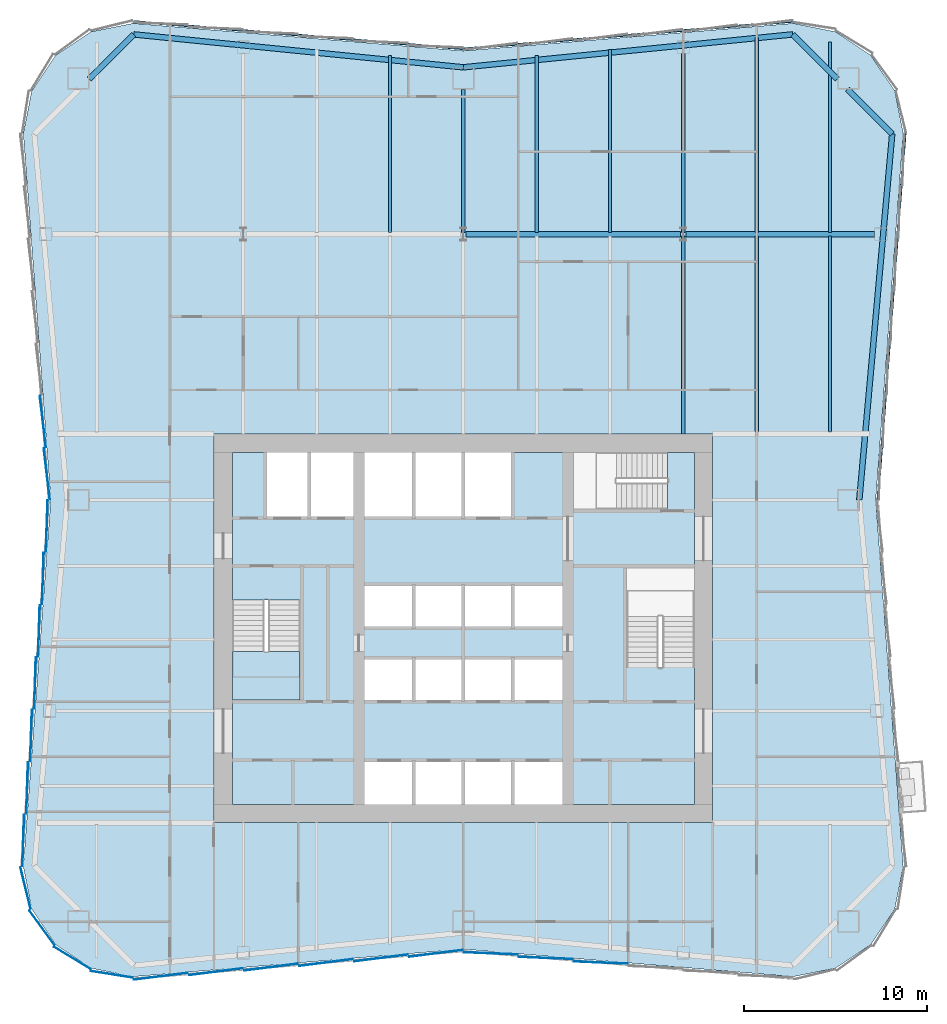
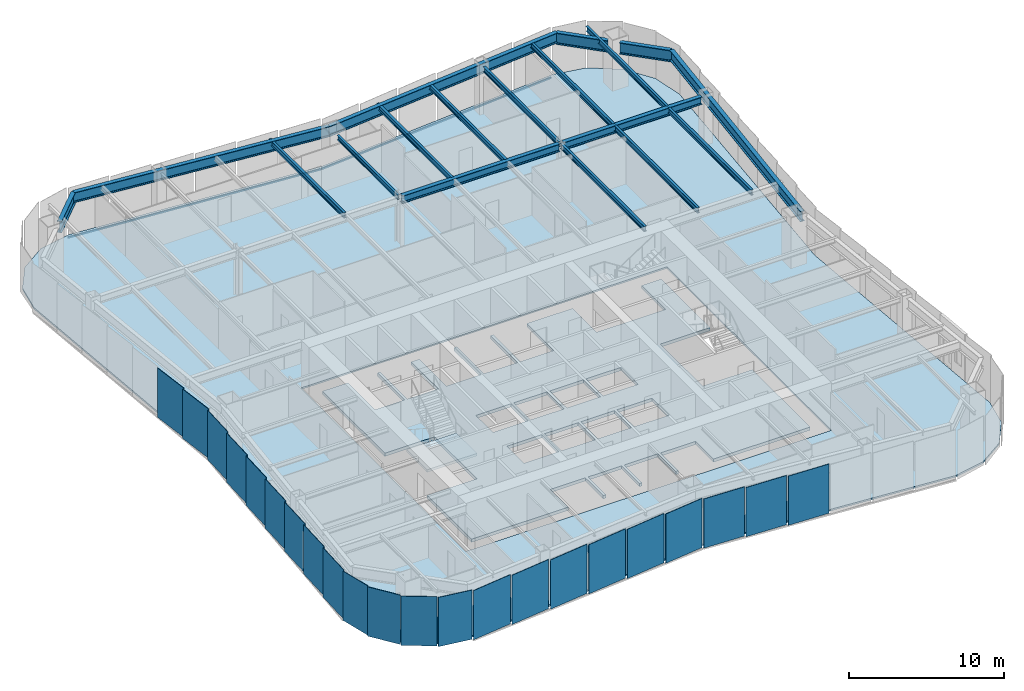
# One storey, part 2 of 9: 22 plates, 18 beams, 3 members, 3 slabs, 6 elements without a shape of their own.
"""IFC4 building model written with IfcOpenShell, lengths in metres."""

from ifc_helpers import new_model, si_unit, direction, frame, origin, origin_2d, place, context, subcontext, project, spatial, polyline, rectangle, i_section, outline, extrude, material, layer, layer_set, material_profile, profile_set, type_object, element, aggregate, save


model = new_model("IFC4")

# Units and contexts
model_context = context("Model", 3, precision=1e-05, world=origin(), true_north=direction((0.0, 1.0)))
body_context = subcontext(model_context, "Body", "Model", "MODEL_VIEW")
ifc_project = project(units=[si_unit("LENGTHUNIT", "METRE"), si_unit("AREAUNIT", "SQUARE_METRE"), si_unit("VOLUMEUNIT", "CUBIC_METRE"), si_unit("PLANEANGLEUNIT", "RADIAN"), si_unit("MASSUNIT", "GRAM", prefix="KILO")], contexts=[model_context])

# Site, building, storey
site_placement = place(None, origin())
site = spatial("IfcSite", under=ifc_project, at=site_placement, CompositionType="ELEMENT")
building_placement = place(site_placement, origin())
building = spatial("IfcBuilding", under=site, at=building_placement, Name="Verdant Reach Tower", CompositionType="ELEMENT")
storey_placement = place(building_placement, frame((0.0, 0.0, 166.0)))
storey = spatial("IfcBuildingStorey", under=building, at=storey_placement, Name="L38", CompositionType="ELEMENT", Elevation=166.0)

# Curtain wall, member
ifc_material_1 = material(Name="Anodised aluminium", Category="aluminium")
curtain_wall_type = type_object("IfcCurtainWallType", Name="EN-CW SYSTEM Z2", PredefinedType="NOTDEFINED", material=ifc_material_1)
curtain_wall_1_placement = place(storey_placement, origin())
curtain_wall_1 = element("IfcCurtainWall", 1, at=curtain_wall_1_placement, inside=storey, type_object=curtain_wall_type, Name="Curtain wall east, L38", PredefinedType="NOTDEFINED")
ifc_material_profile_1 = material_profile(ifc_material_1, rectangle(XDim=0.10009765625, YDim=0.1240234375, at=origin_2d()), Name="Transom 124x100")
ifc_profile_set_1 = profile_set([ifc_material_profile_1], Name="Anodised aluminium")
member_type = type_object("IfcMemberType", Name="EN-TRANSOM Z2", PredefinedType="USERDEFINED", material=ifc_profile_set_1)
member_1_placement = place(storey_placement, frame((22.6083984375, 35.031982421875, -0.2880859375), z_axis=(0.07476111665, 0.997201471839, 0.0), x_axis=(-0.997201471839, 0.07476111665, 0.0)))
member_1 = element("IfcMember", 2, at=member_1_placement, type_object=member_type, Name="Transom east face part 2 1.1, L38", ObjectType="TRANSOM", PredefinedType="USERDEFINED", context=body_context, shape_type="SweptSolid", body=[
    extrude(rectangle(XDim=0.10009765625, YDim=0.1240234375, at=origin_2d()), origin(), (0.0, 0.0, 1.0), 19.99853515625),
])
aggregate(curtain_wall_1, [member_1])

# Curtain wall, members
curtain_wall_2_placement = place(storey_placement, origin())
curtain_wall_2 = element("IfcCurtainWall", 3, at=curtain_wall_2_placement, inside=storey, type_object=curtain_wall_type, Name="Curtain wall north, L38", PredefinedType="NOTDEFINED")
member_2_placement = place(storey_placement, frame((17.97412109375, 61.103271484375, -0.2880859375), z_axis=(-0.996548282776, -0.083015179915, 0.0), x_axis=(0.083015179915, -0.996548282776, 0.0)))
member_2 = element("IfcMember", 4, at=member_2_placement, type_object=member_type, Name="Transom north face part 1 1.1, L38", ObjectType="TRANSOM", PredefinedType="USERDEFINED", context=body_context, shape_type="SweptSolid", body=[
    extrude(rectangle(XDim=0.10009765625, YDim=0.1240234375, at=origin_2d()), origin(), (0.0, 0.0, 1.0), 18.00439453125),
])
member_3_placement = place(storey_placement, frame((-0.031982421875, 59.608642578125, -0.2880859375), z_axis=(-0.996548282776, 0.083015179915, 0.0), x_axis=(-0.083015179915, -0.996548282776, 0.0)))
member_3 = element("IfcMember", 5, at=member_3_placement, type_object=member_type, Name="Transom north face part 2 1.1, L38", ObjectType="TRANSOM", PredefinedType="USERDEFINED", context=body_context, shape_type="SweptSolid", body=[
    extrude(rectangle(XDim=0.10009765625, YDim=0.1240234375, at=origin_2d()), origin(), (0.0, 0.0, 1.0), 18.00439453125),
])
aggregate(curtain_wall_2, [member_2, member_3])

# Beams
ifc_material_2 = material(Name="Steel S355", Category="steel")
ifc_material_profile_2 = material_profile(ifc_material_2, i_section(OverallWidth=0.300048828125, OverallDepth=0.60009765625, WebThickness=0.015380859375, FlangeThickness=0.030029296875, FilletRadius=0.027099609375, at=origin_2d()), Name="HEB 600")
ifc_profile_set_2 = profile_set([ifc_material_profile_2], Name="Steel S355")
beam_type_1 = type_object("IfcBeamType", Name="ST-BEAM-HEB600", PredefinedType="BEAM", material=ifc_profile_set_2)
beam_1_placement = place(storey_placement, frame((0.154052734375, 49.5, 3.449951171875), z_axis=(1.0, 0.0, 0.0), x_axis=(0.0, 1.0, 0.0)))
element("IfcBeam", 6, at=beam_1_placement, inside=storey, type_object=beam_type_1, Name="Row girder, L38", PredefinedType="BEAM", context=body_context, shape_type="SweptSolid", body=[
    extrude(i_section(OverallWidth=0.300048828125, OverallDepth=0.60009765625, WebThickness=0.015380859375, FlangeThickness=0.030029296875, FilletRadius=0.027099609375, at=origin_2d()), origin(), (0.0, 0.0, 1.0), 11.69189453125),
])
beam_2_placement = place(storey_placement, frame((12.154052734375, 49.5, 3.449951171875), z_axis=(1.0, 0.0, 0.0), x_axis=(0.0, 1.0, 0.0)))
element("IfcBeam", 7, at=beam_2_placement, inside=storey, type_object=beam_type_1, Name="Row girder, L38", PredefinedType="BEAM", context=body_context, shape_type="SweptSolid", body=[
    extrude(i_section(OverallWidth=0.300048828125, OverallDepth=0.60009765625, WebThickness=0.015380859375, FlangeThickness=0.030029296875, FilletRadius=0.027099609375, at=origin_2d()), origin(), (0.0, 0.0, 1.0), 10.283447265625),
])
ifc_material_profile_3 = material_profile(ifc_material_2, i_section(OverallWidth=0.169921875, OverallDepth=0.360107421875, WebThickness=0.008056640625, FlangeThickness=0.0126953125, FilletRadius=0.01806640625, at=origin_2d()), Name="IPE 360")
ifc_profile_set_3 = profile_set([ifc_material_profile_3], Name="Steel S355")
beam_type_2 = type_object("IfcBeamType", Name="ST-JOIST-IPE360", PredefinedType="JOIST", material=ifc_profile_set_3)
beam_3_placement = place(storey_placement, frame((0.0, 49.60009765625, 3.570068359375), z_axis=(0.0, 1.0, 0.0), x_axis=(-1.0, 0.0, 0.0)))
element("IfcBeam", 8, at=beam_3_placement, inside=storey, type_object=beam_type_2, Name="Floor joist, L38", PredefinedType="JOIST", context=body_context, shape_type="SweptSolid", body=[
    extrude(i_section(OverallWidth=0.169921875, OverallDepth=0.360107421875, WebThickness=0.008056640625, FlangeThickness=0.0126953125, FilletRadius=0.01806640625, at=origin_2d()), origin(), (0.0, 0.0, 1.0), 7.7998046875),
])
ifc_material_profile_4 = material_profile(ifc_material_2, i_section(OverallWidth=0.179931640625, OverallDepth=0.39990234375, WebThickness=0.008544921875, FlangeThickness=0.013427734375, FilletRadius=0.02099609375, at=origin_2d()), Name="IPE 400")
ifc_profile_set_4 = profile_set([ifc_material_profile_4], Name="Steel S355")
beam_type_3 = type_object("IfcBeamType", Name="ST-JOIST-IPE400", PredefinedType="JOIST", material=ifc_profile_set_4)
for number, where, z_axis, x_axis, name in (
    (9, (-4.0, 49.60009765625, 3.550048828125), (0.0, 1.0, 0.0), (-1.0, 0.0, 0.0), "Floor joist, L38"),
    (10, (4.0, 49.60009765625, 3.550048828125), (0.0, 1.0, 0.0), (-1.0, 0.0, 0.0), "Floor joist, L38"),
):
    element("IfcBeam", number, at=place(storey_placement, frame(where, z_axis=z_axis, x_axis=x_axis)), inside=storey, type_object=beam_type_3, Name=name, PredefinedType="JOIST", context=body_context, shape_type="SweptSolid", body=[
        extrude(i_section(OverallWidth=0.179931640625, OverallDepth=0.39990234375, WebThickness=0.008544921875, FlangeThickness=0.013427734375, FilletRadius=0.02099609375, at=origin_2d()), origin(), (0.0, 0.0, 1.0), 9.631103515625),
    ])
beam_4_placement = place(storey_placement, frame((8.0, 49.60009765625, 3.550048828125), z_axis=(0.0, 1.0, 0.0), x_axis=(-1.0, 0.0, 0.0)))
element("IfcBeam", 11, at=beam_4_placement, inside=storey, type_object=beam_type_3, Name="Floor joist, L38", PredefinedType="JOIST", context=body_context, shape_type="SweptSolid", body=[
    extrude(i_section(OverallWidth=0.179931640625, OverallDepth=0.39990234375, WebThickness=0.008544921875, FlangeThickness=0.013427734375, FilletRadius=0.02099609375, at=origin_2d()), origin(), (0.0, 0.0, 1.0), 9.964599609375),
])
beam_5_placement = place(storey_placement, frame((12.0, 38.60009765625, 3.550048828125), z_axis=(0.0, 1.0, 0.0), x_axis=(-1.0, 0.0, 0.0)))
element("IfcBeam", 12, at=beam_5_placement, inside=storey, type_object=beam_type_3, Name="Floor joist, L38", PredefinedType="JOIST", context=body_context, shape_type="SweptSolid", body=[
    extrude(i_section(OverallWidth=0.179931640625, OverallDepth=0.39990234375, WebThickness=0.008544921875, FlangeThickness=0.013427734375, FilletRadius=0.02099609375, at=origin_2d()), origin(), (0.0, 0.0, 1.0), 10.7998046875),
])
beam_6_placement = place(storey_placement, frame((12.0, 49.60009765625, 3.550048828125), z_axis=(0.0, 1.0, 0.0), x_axis=(-1.0, 0.0, 0.0)))
element("IfcBeam", 13, at=beam_6_placement, inside=storey, type_object=beam_type_3, Name="Floor joist, L38", PredefinedType="JOIST", context=body_context, shape_type="SweptSolid", body=[
    extrude(i_section(OverallWidth=0.179931640625, OverallDepth=0.39990234375, WebThickness=0.008544921875, FlangeThickness=0.013427734375, FilletRadius=0.02099609375, at=origin_2d()), origin(), (0.0, 0.0, 1.0), 9.75),
])
beam_7_placement = place(storey_placement, frame((16.0, 38.699951171875, 3.550048828125), z_axis=(0.0, 1.0, 0.0), x_axis=(-1.0, 0.0, 0.0)))
element("IfcBeam", 14, at=beam_7_placement, inside=storey, type_object=beam_type_3, Name="Floor joist, L38", PredefinedType="JOIST", context=body_context, shape_type="SweptSolid", body=[
    extrude(i_section(OverallWidth=0.179931640625, OverallDepth=0.39990234375, WebThickness=0.008544921875, FlangeThickness=0.013427734375, FilletRadius=0.02099609375, at=origin_2d()), origin(), (0.0, 0.0, 1.0), 10.699951171875),
])
beam_8_placement = place(storey_placement, frame((16.0, 49.60009765625, 3.550048828125), z_axis=(0.0, 1.0, 0.0), x_axis=(-1.0, 0.0, 0.0)))
element("IfcBeam", 15, at=beam_8_placement, inside=storey, type_object=beam_type_3, Name="Floor joist, L38", PredefinedType="JOIST", context=body_context, shape_type="SweptSolid", body=[
    extrude(i_section(OverallWidth=0.179931640625, OverallDepth=0.39990234375, WebThickness=0.008544921875, FlangeThickness=0.013427734375, FilletRadius=0.02099609375, at=origin_2d()), origin(), (0.0, 0.0, 1.0), 10.631103515625),
])
beam_9_placement = place(storey_placement, frame((20.0, 38.699951171875, 3.550048828125), z_axis=(0.0, 1.0, 0.0), x_axis=(-1.0, 0.0, 0.0)))
element("IfcBeam", 16, at=beam_9_placement, inside=storey, type_object=beam_type_3, Name="Floor joist, L38", PredefinedType="JOIST", context=body_context, shape_type="SweptSolid", body=[
    extrude(i_section(OverallWidth=0.179931640625, OverallDepth=0.39990234375, WebThickness=0.008544921875, FlangeThickness=0.013427734375, FilletRadius=0.02099609375, at=origin_2d()), origin(), (0.0, 0.0, 1.0), 10.699951171875),
])
beam_10_placement = place(storey_placement, frame((20.0, 49.60009765625, 3.550048828125), z_axis=(0.0, 1.0, 0.0), x_axis=(-1.0, 0.0, 0.0)))
element("IfcBeam", 17, at=beam_10_placement, inside=storey, type_object=beam_type_3, Name="Floor joist, L38", PredefinedType="JOIST", context=body_context, shape_type="SweptSolid", body=[
    extrude(i_section(OverallWidth=0.179931640625, OverallDepth=0.39990234375, WebThickness=0.008544921875, FlangeThickness=0.013427734375, FilletRadius=0.02099609375, at=origin_2d()), origin(), (0.0, 0.0, 1.0), 10.390380859375),
])
ifc_material_profile_5 = material_profile(ifc_material_2, i_section(OverallWidth=0.300048828125, OverallDepth=0.800048828125, WebThickness=0.017578125, FlangeThickness=0.032958984375, FilletRadius=0.030029296875, at=origin_2d()), Name="HEB 800")
ifc_profile_set_5 = profile_set([ifc_material_profile_5], Name="Steel S355")
beam_type_4 = type_object("IfcBeamType", Name="ST-SPANDREL-HEB800", PredefinedType="SPANDREL", material=ifc_profile_set_5)
for number, where, z_axis, x_axis, name in (
    (18, (-17.9658203125, 60.39501953125, 3.35009765625), (0.995046289869, -0.099412680371, 0.0), (0.099412680371, 0.995046289869, 0.0), "Edge beam, L38"),
    (19, (0.0, 58.60009765625, 3.35009765625), (0.995046289869, 0.099412680371, 0.0), (-0.099412680371, 0.995046289869, 0.0), "Edge beam, L38"),
):
    element("IfcBeam", number, at=place(storey_placement, frame(where, z_axis=z_axis, x_axis=x_axis)), inside=storey, type_object=beam_type_4, Name=name, PredefinedType="SPANDREL", context=body_context, shape_type="SweptSolid", body=[
        extrude(i_section(OverallWidth=0.300048828125, OverallDepth=0.800048828125, WebThickness=0.017578125, FlangeThickness=0.032958984375, FilletRadius=0.030029296875, at=origin_2d()), origin(), (0.0, 0.0, 1.0), 18.05517578125),
    ])
beam_11_placement = place(storey_placement, frame((23.3955078125, 54.963134765625, 3.35009765625), z_axis=(-0.089574749266, -0.995980102358, 0.0), x_axis=(0.995980102358, -0.089574749266, 0.0)))
element("IfcBeam", 20, at=beam_11_placement, inside=storey, type_object=beam_type_4, Name="Edge beam, L38", PredefinedType="SPANDREL", context=body_context, shape_type="SweptSolid", body=[
    extrude(i_section(OverallWidth=0.300048828125, OverallDepth=0.800048828125, WebThickness=0.017578125, FlangeThickness=0.032958984375, FilletRadius=0.030029296875, at=origin_2d()), origin(), (0.0, 0.0, 1.0), 20.043701171875),
])
ifc_material_profile_6 = material_profile(ifc_material_2, i_section(OverallWidth=0.302001953125, OverallDepth=0.909912109375, WebThickness=0.02099609375, FlangeThickness=0.0400390625, FilletRadius=0.030029296875, at=origin_2d()), Name="HEM 900")
ifc_profile_set_6 = profile_set([ifc_material_profile_6], Name="Steel S355")
beam_type_5 = type_object("IfcBeamType", Name="ST-SPANDREL-HEM900", PredefinedType="SPANDREL", material=ifc_profile_set_6)
for number, where, z_axis, x_axis, name in (
    (21, (-20.39990234375, 57.9599609375, 3.294921875), (0.70696494852, 0.70724858541, 0.0), (-0.70724858541, 0.70696494852, 0.0), "Edge beam, L38"),
    (22, (17.9658203125, 60.39501953125, 3.294921875), (0.70696494852, -0.70724858541, 0.0), (0.70724858541, 0.70696494852, 0.0), "Edge beam, L38"),
):
    element("IfcBeam", number, at=place(storey_placement, frame(where, z_axis=z_axis, x_axis=x_axis)), inside=storey, type_object=beam_type_5, Name=name, PredefinedType="SPANDREL", context=body_context, shape_type="SweptSolid", body=[
        extrude(i_section(OverallWidth=0.302001953125, OverallDepth=0.909912109375, WebThickness=0.02099609375, FlangeThickness=0.0400390625, FilletRadius=0.030029296875, at=origin_2d()), origin(), (0.0, 0.0, 1.0), 3.443115234375),
    ])
beam_12_placement = place(storey_placement, frame((20.959716796875, 57.39990234375, 3.294921875), z_axis=(0.706965048022, -0.707248485948, 0.0), x_axis=(0.707248485948, 0.706965048022, 0.0)))
element("IfcBeam", 23, at=beam_12_placement, inside=storey, type_object=beam_type_5, Name="Edge beam, L38", PredefinedType="SPANDREL", context=body_context, shape_type="SweptSolid", body=[
    extrude(i_section(OverallWidth=0.302001953125, OverallDepth=0.909912109375, WebThickness=0.02099609375, FlangeThickness=0.0400390625, FilletRadius=0.030029296875, at=origin_2d()), origin(), (0.0, 0.0, 1.0), 3.4453125),
])

# Stair, slab
ifc_material_3 = material(Name="Concrete C40/50", Category="concrete")
stair_type = type_object("IfcStairType", Name="CO-STAIR", PredefinedType="HALF_TURN_STAIR", material=ifc_material_3)
stair_placement = place(storey_placement, origin())
stair = element("IfcStair", 24, at=stair_placement, inside=storey, type_object=stair_type, Name="L38 Exit stair 1", PredefinedType="HALF_TURN_STAIR")
ifc_layer_1 = layer(ifc_material_3, 0.199951171875)
ifc_layer_set_1 = layer_set([ifc_layer_1], Name="CO-STAIR-LANDING")
slab_type_1 = type_object("IfcSlabType", Name="CO-STAIR-LANDING", PredefinedType="LANDING", material=ifc_layer_set_1)
slab_1_placement = place(storey_placement, frame((0.0, 0.0, 1.800048828125)))
slab_1 = element("IfcSlab", 25, at=slab_1_placement, type_object=slab_type_1, Name="ST-1 landing 1", PredefinedType="LANDING", context=body_context, shape_type="SweptSolid", body=[
    extrude(outline(polyline([(-12.60009765625, 26.75), (-12.60009765625, 24.10009765625), (-8.89990234375, 24.10009765625), (-8.89990234375, 26.75), (-12.60009765625, 26.75)])), origin(), (0.0, 0.0, 1.0), 0.199951171875),
])
aggregate(stair, [slab_1])

# Curtain wall, plates
curtain_wall_3_placement = place(storey_placement, origin())
curtain_wall_3 = element("IfcCurtainWall", 26, at=curtain_wall_3_placement, inside=storey, type_object=curtain_wall_type, Name="Curtain wall west, L38", PredefinedType="NOTDEFINED")
ifc_material_4 = material(Name="Tinted glass with champagne spandrel", Category="glass")
ifc_layer_2 = layer(ifc_material_4, 0.031982421875)
ifc_layer_set_2 = layer_set([ifc_layer_2], Name="EN-PANEL CHAMPAGNE")
plate_type_1 = type_object("IfcPlateType", Name="EN-PANEL CHAMPAGNE", PredefinedType="CURTAIN_PANEL", material=ifc_layer_set_2)
plate_1_placement = place(storey_placement, frame((-22.92724609375, 39.27783203125, -0.22607421875), z_axis=(0.0, 0.0, 1.0), x_axis=(0.116482717753, -0.993192718693, 0.0)))
plate_1 = element("IfcPlate", 27, at=plate_1_placement, type_object=plate_type_1, Name="Glass panel west face part 1 6.1, L38", PredefinedType="CURTAIN_PANEL", context=body_context, shape_type="SweptSolid", body=[
    extrude(rectangle(XDim=2.80517578125, YDim=0.031982421875, at=origin_2d()), origin(), (0.0, 0.0, 1.0), 3.8759765625),
])
plate_2_placement = place(storey_placement, frame((-23.7841796875, 19.293701171875, -0.22607421875), z_axis=(0.0, 0.0, 1.0), x_axis=(-0.032965971753, -0.999456474643, 0.0)))
plate_2 = element("IfcPlate", 28, at=plate_2_placement, type_object=plate_type_1, Name="Glass panel west face part 2 6.1, L38", PredefinedType="CURTAIN_PANEL", context=body_context, shape_type="SweptSolid", body=[
    extrude(rectangle(XDim=2.80517578125, YDim=0.031982421875, at=origin_2d()), origin(), (0.0, 0.0, 1.0), 3.8759765625),
])
plate_3_placement = place(storey_placement, frame((-23.99853515625, 16.42919921875, -0.22607421875), z_axis=(0.0, 0.0, 1.0), x_axis=(-0.032628234484, -0.99946755741, 0.0)))
plate_3 = element("IfcPlate", 29, at=plate_3_placement, type_object=plate_type_1, Name="Glass panel west face part 2 7.1, L38", PredefinedType="CURTAIN_PANEL", context=body_context, shape_type="SweptSolid", body=[
    extrude(rectangle(XDim=2.819580078125, YDim=0.031982421875, at=origin_2d()), origin(), (0.0, 0.0, 1.0), 3.8759765625),
])

# Curtain wall, plate
curtain_wall_4_placement = place(storey_placement, origin())
curtain_wall_4 = element("IfcCurtainWall", 30, at=curtain_wall_4_placement, inside=storey, type_object=curtain_wall_type, Name="Curtain wall south-west corner, L38", PredefinedType="NOTDEFINED")
plate_4_placement = place(storey_placement, frame((-19.17138671875, 9.12646484375, -0.22607421875), z_axis=(0.0, 0.0, 1.0), x_axis=(0.988030887576, -0.154256167447, 0.0)))
plate_4 = element("IfcPlate", 31, at=plate_4_placement, type_object=plate_type_1, Name="Glass panel south-west corner 4.1, L38", PredefinedType="CURTAIN_PANEL", context=body_context, shape_type="SweptSolid", body=[
    extrude(rectangle(XDim=2.31640625, YDim=0.031982421875, at=origin_2d()), origin(), (0.0, 0.0, 1.0), 3.8759765625),
])

# Curtain wall, plates
curtain_wall_5_placement = place(storey_placement, origin())
curtain_wall_5 = element("IfcCurtainWall", 32, at=curtain_wall_5_placement, inside=storey, type_object=curtain_wall_type, Name="Curtain wall south, L38", PredefinedType="NOTDEFINED")
plate_5_placement = place(storey_placement, frame((-13.4912109375, 9.269287109375, -0.22607421875), z_axis=(0.0, 0.0, 1.0), x_axis=(0.992194034542, 0.124703639961, 0.0)))
plate_5 = element("IfcPlate", 33, at=plate_5_placement, type_object=plate_type_1, Name="Glass panel south face part 1 2.1, L38", PredefinedType="CURTAIN_PANEL", context=body_context, shape_type="SweptSolid", body=[
    extrude(rectangle(XDim=2.950439453125, YDim=0.031982421875, at=origin_2d()), origin(), (0.0, 0.0, 1.0), 3.8759765625),
])
plate_6_placement = place(storey_placement, frame((-10.4912109375, 9.519287109375, -0.22607421875), z_axis=(0.0, 0.0, 1.0), x_axis=(0.992194034542, 0.124703639961, 0.0)))
plate_6 = element("IfcPlate", 34, at=plate_6_placement, type_object=plate_type_1, Name="Glass panel south face part 1 3.1, L38", PredefinedType="CURTAIN_PANEL", context=body_context, shape_type="SweptSolid", body=[
    extrude(rectangle(XDim=2.950439453125, YDim=0.031982421875, at=origin_2d()), origin(), (0.0, 0.0, 1.0), 3.8759765625),
])
plate_7_placement = place(storey_placement, frame((7.4912109375, 9.769287109375, -0.22607421875), z_axis=(0.0, 0.0, 1.0), x_axis=(0.999149202059, -0.041241629766, 0.0)))
plate_7 = element("IfcPlate", 35, at=plate_7_placement, type_object=plate_type_1, Name="Glass panel south face part 2 3.1, L38", PredefinedType="CURTAIN_PANEL", context=body_context, shape_type="SweptSolid", body=[
    extrude(rectangle(XDim=2.950439453125, YDim=0.031982421875, at=origin_2d()), origin(), (0.0, 0.0, 1.0), 3.8759765625),
])

# Plate
ifc_material_5 = material(Name="Tinted glass with copper spandrel", Category="glass")
ifc_layer_3 = layer(ifc_material_5, 0.031982421875)
ifc_layer_set_3 = layer_set([ifc_layer_3], Name="EN-PANEL COPPER")
plate_type_2 = type_object("IfcPlateType", Name="EN-PANEL COPPER", PredefinedType="CURTAIN_PANEL", material=ifc_layer_set_3)
plate_8_placement = place(storey_placement, frame((-22.712890625, 36.424560546875, -0.22607421875), z_axis=(0.0, 0.0, 1.0), x_axis=(0.116585911919, -0.993180610535, 0.0)))
plate_8 = element("IfcPlate", 36, at=plate_8_placement, type_object=plate_type_2, Name="Glass panel west face part 1 7.1, L38", PredefinedType="CURTAIN_PANEL", context=body_context, shape_type="SweptSolid", body=[
    extrude(rectangle(XDim=2.797119140625, YDim=0.031982421875, at=origin_2d()), origin(), (0.0, 0.0, 1.0), 3.8759765625),
])

plate_9_placement = place(storey_placement, frame((-22.712890625, 33.575439453125, -0.22607421875), z_axis=(0.0, 0.0, 1.0), x_axis=(-0.033069817188, -0.999453044015, 0.0)))
plate_9 = element("IfcPlate", 37, at=plate_9_placement, type_object=plate_type_2, Name="Glass panel west face part 2 1.1, L38", PredefinedType="CURTAIN_PANEL", context=body_context, shape_type="SweptSolid", body=[
    extrude(rectangle(XDim=2.797119140625, YDim=0.031982421875, at=origin_2d()), origin(), (0.0, 0.0, 1.0), 3.8759765625),
])

plate_10_placement = place(storey_placement, frame((-22.92724609375, 30.72216796875, -0.22607421875), z_axis=(0.0, 0.0, 1.0), x_axis=(-0.032965971753, -0.999456474643, 0.0)))
plate_10 = element("IfcPlate", 38, at=plate_10_placement, type_object=plate_type_2, Name="Glass panel west face part 2 2.1, L38", PredefinedType="CURTAIN_PANEL", context=body_context, shape_type="SweptSolid", body=[
    extrude(rectangle(XDim=2.80517578125, YDim=0.031982421875, at=origin_2d()), origin(), (0.0, 0.0, 1.0), 3.8759765625),
])

plate_11_placement = place(storey_placement, frame((-23.87353515625, 13.828369140625, -0.22607421875), z_axis=(0.0, 0.0, 1.0), x_axis=(0.236416170006, -0.971651889598, 0.0)))
plate_11 = element("IfcPlate", 39, at=plate_11_placement, type_object=plate_type_2, Name="Glass panel south-west corner 1.1, L38", PredefinedType="CURTAIN_PANEL", context=body_context, shape_type="SweptSolid", body=[
    extrude(rectangle(XDim=2.316162109375, YDim=0.031982421875, at=origin_2d()), origin(), (0.0, 0.0, 1.0), 3.8759765625),
])

plate_12_placement = place(storey_placement, frame((-7.4912109375, 9.769287109375, -0.22607421875), z_axis=(0.0, 0.0, 1.0), x_axis=(0.992194034542, 0.124703639961, 0.0)))
plate_12 = element("IfcPlate", 40, at=plate_12_placement, type_object=plate_type_2, Name="Glass panel south face part 1 4.1, L38", PredefinedType="CURTAIN_PANEL", context=body_context, shape_type="SweptSolid", body=[
    extrude(rectangle(XDim=2.950439453125, YDim=0.031982421875, at=origin_2d()), origin(), (0.0, 0.0, 1.0), 3.8759765625),
])

plate_13_placement = place(storey_placement, frame((-4.4912109375, 10.019287109375, -0.22607421875), z_axis=(0.0, 0.0, 1.0), x_axis=(0.992194034542, 0.124703639961, 0.0)))
plate_13 = element("IfcPlate", 41, at=plate_13_placement, type_object=plate_type_2, Name="Glass panel south face part 1 5.1, L38", PredefinedType="CURTAIN_PANEL", context=body_context, shape_type="SweptSolid", body=[
    extrude(rectangle(XDim=2.950439453125, YDim=0.031982421875, at=origin_2d()), origin(), (0.0, 0.0, 1.0), 3.8759765625),
])

plate_14_placement = place(storey_placement, frame((-1.49560546875, 10.269287109375, -0.22607421875), z_axis=(0.0, 0.0, 1.0), x_axis=(0.992178815188, 0.12482467181, 0.0)))
plate_14 = element("IfcPlate", 42, at=plate_14_placement, type_object=plate_type_2, Name="Glass panel south face part 1 6.1, L38", PredefinedType="CURTAIN_PANEL", context=body_context, shape_type="SweptSolid", body=[
    extrude(rectangle(XDim=2.941650390625, YDim=0.031982421875, at=origin_2d()), origin(), (0.0, 0.0, 1.0), 3.8759765625),
])

ifc_material_6 = material(Name="Tinted glass with dark bronze spandrel", Category="glass")
ifc_layer_4 = layer(ifc_material_6, 0.031982421875)
ifc_layer_set_4 = layer_set([ifc_layer_4], Name="EN-PANEL DARK")
plate_type_3 = type_object("IfcPlateType", Name="EN-PANEL DARK", PredefinedType="CURTAIN_PANEL", material=ifc_layer_set_4)
plate_15_placement = place(storey_placement, frame((-23.141357421875, 27.864990234375, -0.22607421875), z_axis=(0.0, 0.0, 1.0), x_axis=(-0.032965971753, -0.999456474643, 0.0)))
plate_15 = element("IfcPlate", 43, at=plate_15_placement, type_object=plate_type_3, Name="Glass panel west face part 2 3.1, L38", PredefinedType="CURTAIN_PANEL", context=body_context, shape_type="SweptSolid", body=[
    extrude(rectangle(XDim=2.80517578125, YDim=0.031982421875, at=origin_2d()), origin(), (0.0, 0.0, 1.0), 3.8759765625),
])

plate_16_placement = place(storey_placement, frame((-23.355712890625, 25.0078125, -0.22607421875), z_axis=(0.0, 0.0, 1.0), x_axis=(-0.032965971753, -0.999456474643, 0.0)))
plate_16 = element("IfcPlate", 44, at=plate_16_placement, type_object=plate_type_3, Name="Glass panel west face part 2 4.1, L38", PredefinedType="CURTAIN_PANEL", context=body_context, shape_type="SweptSolid", body=[
    extrude(rectangle(XDim=2.80517578125, YDim=0.031982421875, at=origin_2d()), origin(), (0.0, 0.0, 1.0), 3.8759765625),
])

plate_17_placement = place(storey_placement, frame((-23.570068359375, 22.15087890625, -0.22607421875), z_axis=(0.0, 0.0, 1.0), x_axis=(-0.032965971753, -0.999456474643, 0.0)))
plate_17 = element("IfcPlate", 45, at=plate_17_placement, type_object=plate_type_3, Name="Glass panel west face part 2 5.1, L38", PredefinedType="CURTAIN_PANEL", context=body_context, shape_type="SweptSolid", body=[
    extrude(rectangle(XDim=2.80517578125, YDim=0.031982421875, at=origin_2d()), origin(), (0.0, 0.0, 1.0), 3.8759765625),
])

aggregate(curtain_wall_3, [plate_1, plate_8, plate_9, plate_10, plate_15, plate_16, plate_17, plate_2, plate_3])

plate_18_placement = place(storey_placement, frame((-22.9794921875, 11.6728515625, -0.22607421875), z_axis=(0.0, 0.0, 1.0), x_axis=(0.589926757843, -0.807456760688, 0.0)))
plate_18 = element("IfcPlate", 46, at=plate_18_placement, type_object=plate_type_3, Name="Glass panel south-west corner 2.1, L38", PredefinedType="CURTAIN_PANEL", context=body_context, shape_type="SweptSolid", body=[
    extrude(rectangle(XDim=2.322509765625, YDim=0.031982421875, at=origin_2d()), origin(), (0.0, 0.0, 1.0), 3.8759765625),
])

plate_19_placement = place(storey_placement, frame((-21.3271484375, 10.0205078125, -0.22607421875), z_axis=(0.0, 0.0, 1.0), x_axis=(0.853988694998, -0.520291561353, 0.0)))
plate_19 = element("IfcPlate", 47, at=plate_19_placement, type_object=plate_type_3, Name="Glass panel south-west corner 3.1, L38", PredefinedType="CURTAIN_PANEL", context=body_context, shape_type="SweptSolid", body=[
    extrude(rectangle(XDim=2.322509765625, YDim=0.031982421875, at=origin_2d()), origin(), (0.0, 0.0, 1.0), 3.8759765625),
])

aggregate(curtain_wall_4, [plate_11, plate_18, plate_19, plate_4])

plate_20_placement = place(storey_placement, frame((-16.49853515625, 9.019287109375, -0.22607421875), z_axis=(0.0, 0.0, 1.0), x_axis=(0.992236570309, 0.124364739946, 0.0)))
plate_20 = element("IfcPlate", 48, at=plate_20_placement, type_object=plate_type_3, Name="Glass panel south face part 1 1.1, L38", PredefinedType="CURTAIN_PANEL", context=body_context, shape_type="SweptSolid", body=[
    extrude(rectangle(XDim=2.965087890625, YDim=0.031982421875, at=origin_2d()), origin(), (0.0, 0.0, 1.0), 3.8759765625),
])

plate_21_placement = place(storey_placement, frame((1.49560546875, 10.269287109375, -0.22607421875), z_axis=(0.0, 0.0, 1.0), x_axis=(0.999144163765, -0.041363510662, 0.0)))
plate_21 = element("IfcPlate", 49, at=plate_21_placement, type_object=plate_type_3, Name="Glass panel south face part 2 1.1, L38", PredefinedType="CURTAIN_PANEL", context=body_context, shape_type="SweptSolid", body=[
    extrude(rectangle(XDim=2.941650390625, YDim=0.031982421875, at=origin_2d()), origin(), (0.0, 0.0, 1.0), 3.8759765625),
])

plate_22_placement = place(storey_placement, frame((4.4912109375, 10.019287109375, -0.22607421875), z_axis=(0.0, 0.0, 1.0), x_axis=(0.999149202059, -0.041241629766, 0.0)))
plate_22 = element("IfcPlate", 50, at=plate_22_placement, type_object=plate_type_3, Name="Glass panel south face part 2 2.1, L38", PredefinedType="CURTAIN_PANEL", context=body_context, shape_type="SweptSolid", body=[
    extrude(rectangle(XDim=2.950439453125, YDim=0.031982421875, at=origin_2d()), origin(), (0.0, 0.0, 1.0), 3.8759765625),
])

aggregate(curtain_wall_5, [plate_20, plate_5, plate_6, plate_12, plate_13, plate_14, plate_21, plate_22, plate_7])

# Slabs
ifc_material_7 = material(Name="Concrete C35/45", Category="concrete")
ifc_layer_5 = layer(ifc_material_7, 0.1298828125)
ifc_layer_set_5 = layer_set([ifc_layer_5], Name="ST-SLAB-130")
slab_type_2 = type_object("IfcSlabType", Name="ST-SLAB-130", PredefinedType="FLOOR", material=ifc_layer_set_5)
slab_2_placement = place(storey_placement, frame((0.0, 0.0, -0.1298828125)))
element("IfcSlab", 51, at=slab_2_placement, inside=storey, type_object=slab_type_2, Name="Floor slab L38", PredefinedType="FLOOR", context=body_context, shape_type="SweptSolid", body=[
    extrude(outline(polyline([(0.0, 10.5), (-18.0, 9.0), (-20.296142578125, 9.456787109375), (-22.24267578125, 10.75732421875), (-23.543212890625, 12.703857421875), (-24.0, 15.0), (-22.5, 35.0), (-24.0, 55.0), (-23.543212890625, 57.296142578125), (-22.24267578125, 59.24267578125), (-20.296142578125, 60.543212890625), (-18.0, 61.0), (0.0, 59.5), (18.0, 61.0), (20.296142578125, 60.543212890625), (22.24267578125, 59.24267578125), (23.543212890625, 57.296142578125), (24.0, 55.0), (22.5, 35.0), (24.0, 15.0), (23.543212890625, 12.703857421875), (22.24267578125, 10.75732421875), (20.296142578125, 9.456787109375), (18.0, 9.0), (0.0, 10.5)]), holes=[polyline([(13.60009765625, 38.60009765625), (-13.60009765625, 38.60009765625), (-13.60009765625, 17.39990234375), (13.60009765625, 17.39990234375), (13.60009765625, 38.60009765625)])]), origin(), (0.0, 0.0, 1.0), 0.1298828125),
])
ifc_layer_6 = layer(ifc_material_7, 0.25)
ifc_layer_set_6 = layer_set([ifc_layer_6], Name="ST-SLAB-250")
slab_type_3 = type_object("IfcSlabType", Name="ST-SLAB-250", PredefinedType="FLOOR", material=ifc_layer_set_6)
slab_3_placement = place(storey_placement, frame((0.0, 0.0, -0.25)))
element("IfcSlab", 52, at=slab_3_placement, inside=storey, type_object=slab_type_3, Name="Core floor slab L38", PredefinedType="FLOOR", context=body_context, shape_type="SweptSolid", body=[
    extrude(outline(polyline([(12.60009765625, 18.39990234375), (5.39990234375, 18.39990234375), (5.39990234375, 20.699951171875), (2.800048828125, 20.699951171875), (2.800048828125, 18.39990234375), (2.60009765625, 18.39990234375), (2.60009765625, 20.699951171875), (0.10009765625, 20.699951171875), (0.10009765625, 18.39990234375), (-0.10009765625, 18.39990234375), (-0.10009765625, 20.699951171875), (-2.60009765625, 20.699951171875), (-2.60009765625, 18.39990234375), (-2.800048828125, 18.39990234375), (-2.800048828125, 20.699951171875), (-5.39990234375, 20.699951171875), (-5.39990234375, 18.39990234375), (-12.60009765625, 18.39990234375), (-12.60009765625, 24.10009765625), (-8.89990234375, 24.10009765625), (-8.89990234375, 29.548095703125), (-12.60009765625, 29.548095703125), (-12.60009765625, 37.60009765625), (-10.699951171875, 37.60009765625), (-10.699951171875, 34.10009765625), (-8.5, 34.10009765625), (-8.5, 37.60009765625), (-8.300048828125, 37.60009765625), (-8.300048828125, 34.10009765625), (-6.0, 34.10009765625), (-6.0, 37.60009765625), (-5.39990234375, 37.60009765625), (-5.39990234375, 34.10009765625), (-2.800048828125, 34.10009765625), (-2.800048828125, 37.60009765625), (-2.60009765625, 37.60009765625), (-2.60009765625, 34.10009765625), (-0.10009765625, 34.10009765625), (-0.10009765625, 37.60009765625), (0.10009765625, 37.60009765625), (0.10009765625, 34.10009765625), (2.60009765625, 34.10009765625), (2.60009765625, 37.60009765625), (6.0, 37.60009765625), (6.0, 34.5), (11.14794921875, 34.5), (11.14794921875, 37.60009765625), (12.60009765625, 37.60009765625), (12.60009765625, 31.300048828125), (8.89990234375, 31.300048828125), (8.89990234375, 25.85205078125), (12.60009765625, 25.85205078125), (12.60009765625, 18.39990234375)]), holes=[polyline([(-2.800048828125, 24.10009765625), (-2.800048828125, 26.300048828125), (-5.39990234375, 26.300048828125), (-5.39990234375, 24.10009765625), (-2.800048828125, 24.10009765625)]), polyline([(-2.60009765625, 24.10009765625), (-0.10009765625, 24.10009765625), (-0.10009765625, 26.300048828125), (-2.60009765625, 26.300048828125), (-2.60009765625, 24.10009765625)]), polyline([(-2.800048828125, 28.10009765625), (-2.800048828125, 30.300048828125), (-5.39990234375, 30.300048828125), (-5.39990234375, 28.10009765625), (-2.800048828125, 28.10009765625)]), polyline([(-0.10009765625, 28.10009765625), (-0.10009765625, 30.300048828125), (-2.60009765625, 30.300048828125), (-2.60009765625, 28.10009765625), (-0.10009765625, 28.10009765625)]), polyline([(2.60009765625, 24.10009765625), (2.60009765625, 26.300048828125), (0.10009765625, 26.300048828125), (0.10009765625, 24.10009765625), (2.60009765625, 24.10009765625)]), polyline([(2.800048828125, 24.10009765625), (5.39990234375, 24.10009765625), (5.39990234375, 26.300048828125), (2.800048828125, 26.300048828125), (2.800048828125, 24.10009765625)]), polyline([(2.60009765625, 28.10009765625), (2.60009765625, 30.300048828125), (0.10009765625, 30.300048828125), (0.10009765625, 28.10009765625), (2.60009765625, 28.10009765625)]), polyline([(5.39990234375, 28.10009765625), (5.39990234375, 30.300048828125), (2.800048828125, 30.300048828125), (2.800048828125, 28.10009765625), (5.39990234375, 28.10009765625)])]), origin(), (0.0, 0.0, 1.0), 0.25),
])

save(model, "model.ifc")
